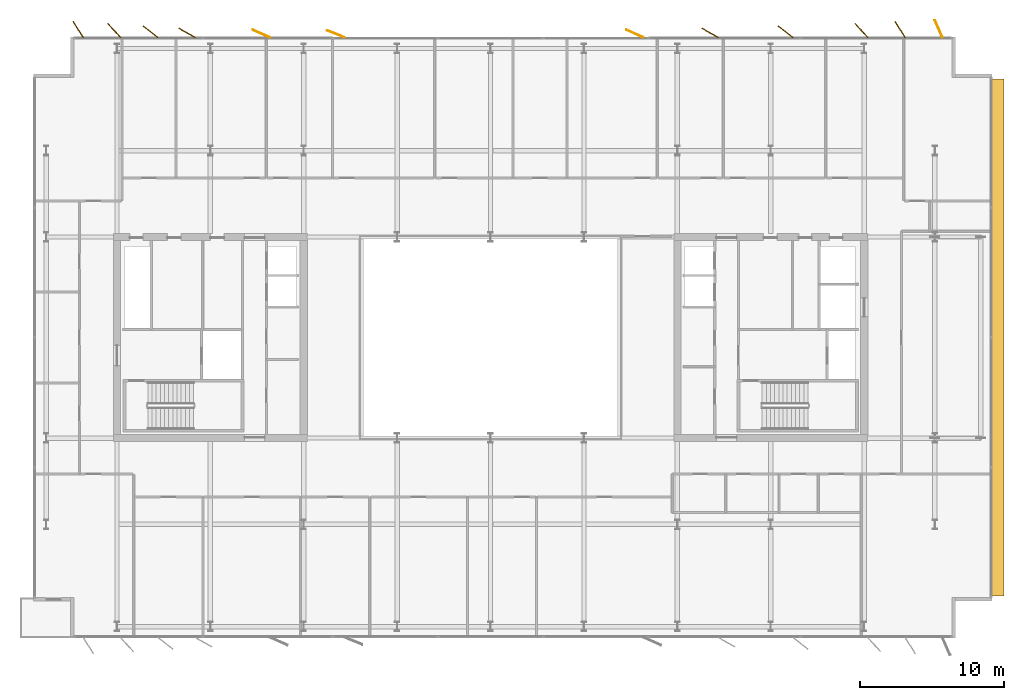
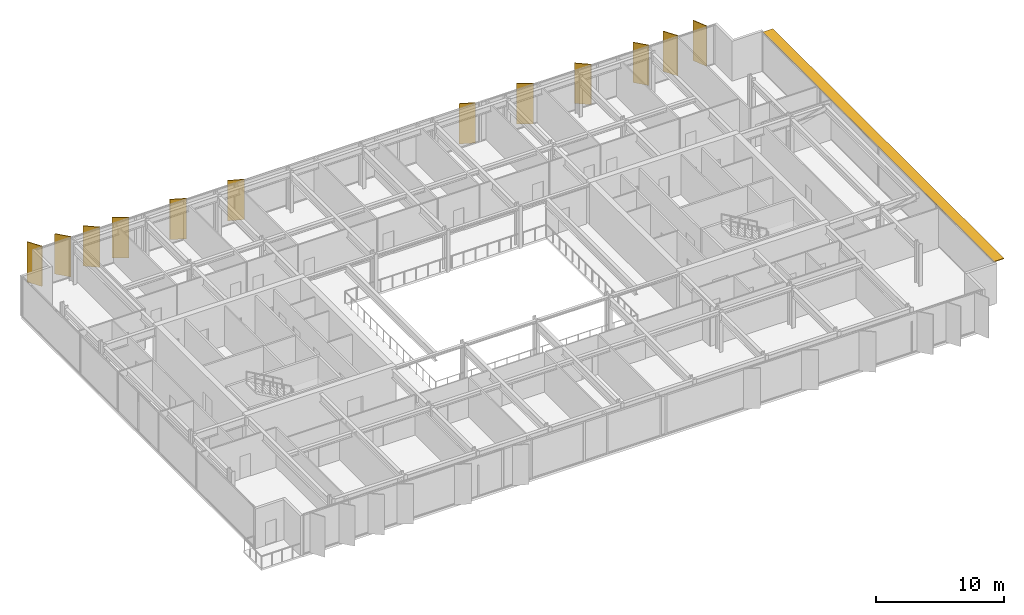
# One storey, part 20 of 20: 13 shading devices.
"""IFC4 building model written with IfcOpenShell, lengths in metres."""

from ifc_helpers import new_model, si_unit, direction, frame, origin, origin_2d, place, context, subcontext, project, spatial, polyline, rectangle, outline, extrude, material, layer, layer_set, type_object, element, save


model = new_model("IFC4")

# Units and contexts
model_context = context("Model", 3, precision=1e-05, world=origin(), true_north=direction((0.0, 1.0)))
body_context = subcontext(model_context, "Body", "Model", "MODEL_VIEW")
ifc_project = project(units=[si_unit("LENGTHUNIT", "METRE"), si_unit("AREAUNIT", "SQUARE_METRE"), si_unit("VOLUMEUNIT", "CUBIC_METRE"), si_unit("PLANEANGLEUNIT", "RADIAN"), si_unit("MASSUNIT", "GRAM", prefix="KILO")], contexts=[model_context])

# Site, building, storey
site_placement = place(None, origin())
site = spatial("IfcSite", under=ifc_project, at=site_placement, CompositionType="ELEMENT")
building_placement = place(site_placement, origin())
building = spatial("IfcBuilding", under=site, at=building_placement, Name="Putna Gate Headquarters", CompositionType="ELEMENT")
storey_placement = place(building_placement, frame((0.0, 0.0, 298.39990234375)))
storey = spatial("IfcBuildingStorey", under=building, at=storey_placement, Name="L75", CompositionType="ELEMENT", Elevation=298.39990234375)

# Shading devices
ifc_material_1 = material(Name="Anodised architectural bronze aluminium fin", Category="aluminium")
ifc_layer_1 = layer(ifc_material_1, 0.06494140625)
ifc_layer_set_1 = layer_set([ifc_layer_1], Name="Anodised architectural bronze aluminium fin")
shading_device_type_1 = type_object("IfcShadingDeviceType", Name="SHADE-BRONZE-FIN-1320", PredefinedType="USERDEFINED", material=ifc_layer_set_1)
for number, where, z_axis, x_axis, name in (
    (1, (10.2998046875, 47.434326171875, -0.02001953125), (0.0, 0.0, 1.0), (-0.530659123936, 0.847585331506, 0.0), "L75 Bronze Vertical Shading Fin N1"),
    (2, (12.808349609375, 47.365478515625, -0.02001953125), (0.0, 0.0, 1.0), (-0.669130606359, 0.743144825477, 0.0), "L75 Bronze Vertical Shading Fin N2"),
    (3, (15.330322265625, 47.28173828125, -0.02001953125), (0.0, 0.0, 1.0), (-0.787473187632, 0.616348909921, 0.0), "L75 Bronze Vertical Shading Fin N3"),
    (4, (17.876220703125, 47.201171875, -0.02001953125), (0.0, 0.0, 1.0), (-0.869322458298, 0.494245347472, 0.0), "L75 Bronze Vertical Shading Fin N4"),
    (5, (23.047119140625, 47.143310546875, -0.02001953125), (0.0, 0.0, 1.0), (-0.913687379856, 0.40641773078, 0.0), "L75 Bronze Vertical Shading Fin N5"),
    (6, (28.238037109375, 47.122314453125, -0.02001953125), (0.0, 0.0, 1.0), (-0.927183854567, 0.374606593416, 0.0), "L75 Bronze Vertical Shading Fin N6"),
    (7, (49.047119140625, 47.143310546875, -0.02001953125), (0.0, 0.0, 1.0), (-0.913687379856, 0.40641773078, 0.0), "L75 Bronze Vertical Shading Fin N7"),
    (8, (54.276123046875, 47.201171875, -0.02001953125), (0.0, 0.0, 1.0), (-0.869322458298, 0.494245347472, 0.0), "L75 Bronze Vertical Shading Fin N8"),
    (9, (59.5302734375, 47.28173828125, -0.02001953125), (0.0, 0.0, 1.0), (-0.787473187632, 0.616348909921, 0.0), "L75 Bronze Vertical Shading Fin N9"),
    (10, (64.808349609375, 47.365478515625, -0.02001953125), (0.0, 0.0, 1.0), (-0.669130606359, 0.743144825477, 0.0), "L75 Bronze Vertical Shading Fin N10"),
    (11, (67.499755859375, 47.434326171875, -0.02001953125), (0.0, 0.0, 1.0), (-0.530659123936, 0.847585331506, 0.0), "L75 Bronze Vertical Shading Fin N11"),
    (12, (70.185546875, 47.479736328125, -0.02001953125), (0.0, 0.0, 1.0), (-0.400668879095, 0.916222925562, 0.0), "L75 Bronze Vertical Shading Fin N12"),
):
    element("IfcShadingDevice", number, at=place(storey_placement, frame(where, z_axis=z_axis, x_axis=x_axis)), inside=storey, type_object=shading_device_type_1, Name=name, ObjectType="FIN", PredefinedType="USERDEFINED", context=body_context, shape_type="SweptSolid", body=[
        extrude(rectangle(XDim=1.320068359375, YDim=0.06494140625, at=origin_2d()), origin(), (0.0, 0.0, 1.0), 3.827880859375),
    ])
ifc_material_2 = material(Name="Anodised architectural bronze sunshade blade", Category="aluminium")
ifc_layer_2 = layer(ifc_material_2, 0.06005859375)
ifc_layer_set_2 = layer_set([ifc_layer_2], Name="Anodised architectural bronze sunshade blade")
shading_device_type_2 = type_object("IfcShadingDeviceType", Name="SHADE-SAIL-BLADE-900", PredefinedType="USERDEFINED", material=ifc_layer_set_2)
shading_device_placement = place(storey_placement, frame((0.0, 0.0, 3.733154296875)))
element("IfcShadingDevice", 13, at=shading_device_placement, inside=storey, type_object=shading_device_type_2, Name="L75 East Sail Horizontal Bronze Sunshade Blade", ObjectType="SUNSHADE", PredefinedType="USERDEFINED", context=body_context, shape_type="SweptSolid", body=[
    extrude(outline(polyline([(73.8310546875, 8.0), (74.73095703125, 8.0), (74.73095703125, 44.0), (73.8310546875, 44.0), (73.8310546875, 8.0)])), origin(), (0.0, 0.0, 1.0), 0.06005859375),
])

save(model, "model.ifc")
